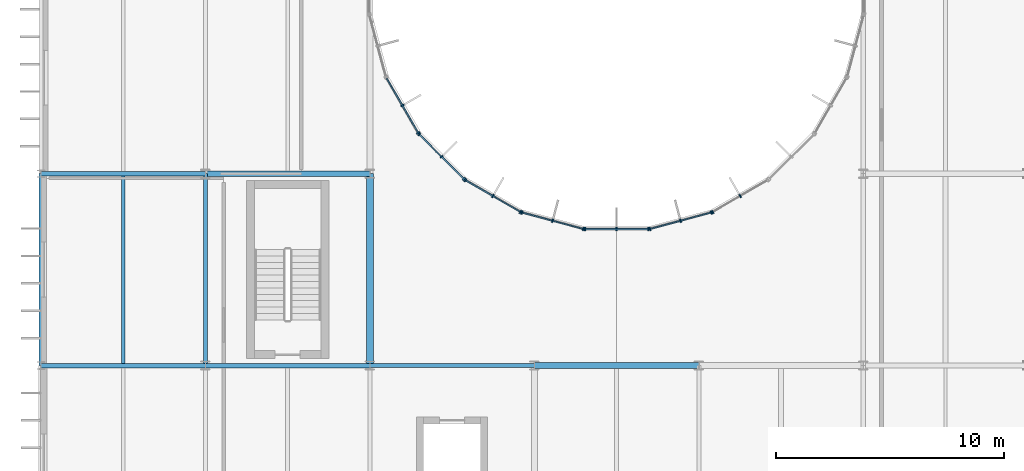
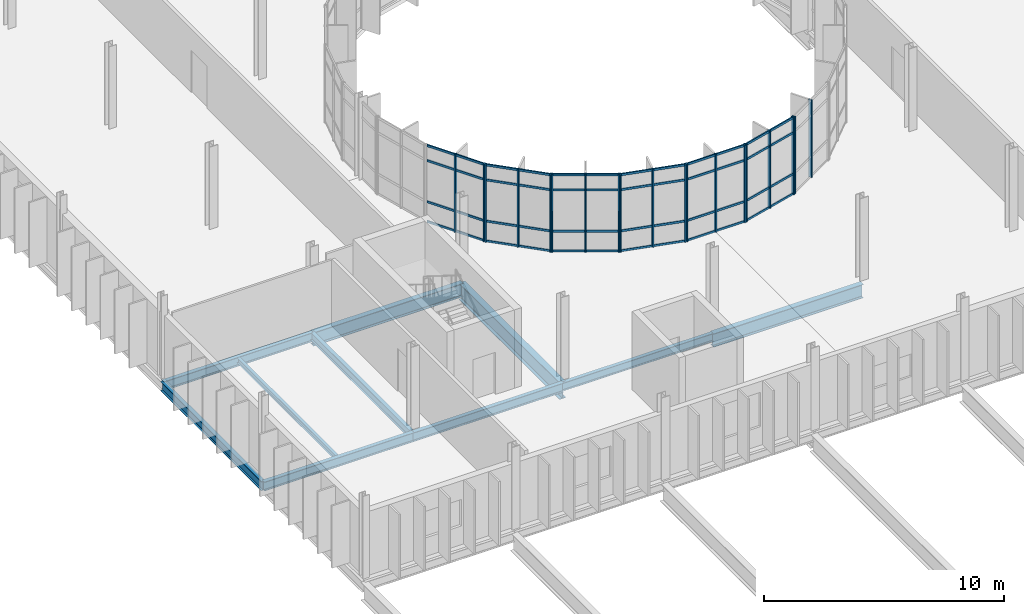
# One storey, part 43 of 119: 43 members, 10 beams, 7 elements without a shape of their own.
"""IFC4 building model written with IfcOpenShell, lengths in metres."""

from ifc_helpers import new_model, si_unit, direction, frame, origin, origin_2d, place, context, subcontext, project, spatial, rectangle, i_section, extrude, material, material_profile, profile_set, type_object, element, aggregate, save


model = new_model("IFC4")

# Units and contexts
model_context = context("Model", 3, precision=1e-05, world=origin(), true_north=direction((0.0, 1.0)))
body_context = subcontext(model_context, "Body", "Model", "MODEL_VIEW")
ifc_project = project(units=[si_unit("LENGTHUNIT", "METRE"), si_unit("AREAUNIT", "SQUARE_METRE"), si_unit("VOLUMEUNIT", "CUBIC_METRE"), si_unit("PLANEANGLEUNIT", "RADIAN"), si_unit("MASSUNIT", "GRAM", prefix="KILO")], contexts=[model_context])

# Site, building, storey
site_placement = place(None, origin())
site = spatial("IfcSite", under=ifc_project, at=site_placement, CompositionType="ELEMENT")
building_placement = place(site_placement, origin())
building = spatial("IfcBuilding", under=site, at=building_placement, Name="Qelthora Terrace Specialist Clinic", CompositionType="ELEMENT")
storey_placement = place(building_placement, frame((0.0, 0.0, 4.800048828125)))
storey = spatial("IfcBuildingStorey", under=building, at=storey_placement, Name="L01", CompositionType="ELEMENT", Elevation=4.800048828125)

# Beams
ifc_material_1 = material(Name="Steel S355", Category="steel")
ifc_material_profile_1 = material_profile(ifc_material_1, i_section(OverallWidth=0.178955078125, OverallDepth=0.409912109375, WebThickness=0.0087890625, FlangeThickness=0.014404296875, FilletRadius=0.011962890625, at=origin_2d()), Name="W410X67")
ifc_profile_set_1 = profile_set([ifc_material_profile_1], Name="Steel S355")
beam_type_1 = type_object("IfcBeamType", Name="BM-W410X67", PredefinedType="BEAM", material=ifc_profile_set_1)
beam_1_placement = place(storey_placement, frame((14.39990234375, 67.199951171875, -0.455078125), z_axis=(1.0, 0.0, 0.0), x_axis=(0.0, 1.0, 0.0)))
element("IfcBeam", 1, at=beam_1_placement, inside=storey, type_object=beam_type_1, Name="Girder BMX-L01-0252", PredefinedType="BEAM", context=body_context, shape_type="SweptSolid", body=[
    extrude(i_section(OverallWidth=0.178955078125, OverallDepth=0.409912109375, WebThickness=0.0087890625, FlangeThickness=0.014404296875, FilletRadius=0.011962890625, at=origin_2d()), origin(), (0.0, 0.0, 1.0), 7.2001953125),
])
ifc_material_profile_2 = material_profile(ifc_material_1, i_section(OverallWidth=0.179931640625, OverallDepth=0.4130859375, WebThickness=0.009765625, FlangeThickness=0.01611328125, FilletRadius=0.011962890625, at=origin_2d()), Name="W410X75")
ifc_profile_set_2 = profile_set([ifc_material_profile_2], Name="Steel S355")
beam_type_2 = type_object("IfcBeamType", Name="BM-W410X75", PredefinedType="BEAM", material=ifc_profile_set_2)
beam_2_placement = place(storey_placement, frame((7.199951171875, 67.199951171875, -0.45654296875), z_axis=(0.0, 1.0, 0.0), x_axis=(-1.0, 0.0, 0.0)))
element("IfcBeam", 2, at=beam_2_placement, inside=storey, type_object=beam_type_2, Name="Girder BMY-L01-0359", PredefinedType="BEAM", context=body_context, shape_type="SweptSolid", body=[
    extrude(i_section(OverallWidth=0.179931640625, OverallDepth=0.4130859375, WebThickness=0.009765625, FlangeThickness=0.01611328125, FilletRadius=0.011962890625, at=origin_2d()), origin(), (0.0, 0.0, 1.0), 8.400146484375),
])
ifc_material_profile_3 = material_profile(ifc_material_1, i_section(OverallWidth=0.19091796875, OverallDepth=0.4599609375, WebThickness=0.010009765625, FlangeThickness=0.01611328125, FilletRadius=0.012939453125, at=origin_2d()), Name="W460X82")
ifc_profile_set_3 = profile_set([ifc_material_profile_3], Name="Steel S355")
beam_type_3 = type_object("IfcBeamType", Name="BM-W460X82", PredefinedType="BEAM", material=ifc_profile_set_3)
beam_3_placement = place(storey_placement, frame((7.199951171875, 67.199951171875, -0.47998046875), z_axis=(1.0, 0.0, 0.0), x_axis=(0.0, 1.0, 0.0)))
element("IfcBeam", 3, at=beam_3_placement, inside=storey, type_object=beam_type_3, Name="Girder BMX-L01-0251", PredefinedType="BEAM", context=body_context, shape_type="SweptSolid", body=[
    extrude(i_section(OverallWidth=0.19091796875, OverallDepth=0.4599609375, WebThickness=0.010009765625, FlangeThickness=0.01611328125, FilletRadius=0.012939453125, at=origin_2d()), origin(), (0.0, 0.0, 1.0), 7.199951171875),
])
ifc_material_profile_4 = material_profile(ifc_material_1, i_section(OverallWidth=0.193115234375, OverallDepth=0.466064453125, WebThickness=0.011474609375, FlangeThickness=0.01904296875, FilletRadius=0.012939453125, at=origin_2d()), Name="W460X97")
ifc_profile_set_4 = profile_set([ifc_material_profile_4], Name="Steel S355")
beam_type_4 = type_object("IfcBeamType", Name="BM-W460X97", PredefinedType="BEAM", material=ifc_profile_set_4)
beam_4_placement = place(storey_placement, frame((0.0, 67.199951171875, -0.483154296875), z_axis=(0.0, 1.0, 0.0), x_axis=(-1.0, 0.0, 0.0)))
element("IfcBeam", 4, at=beam_4_placement, inside=storey, type_object=beam_type_4, Name="Girder BMY-L01-0347", PredefinedType="BEAM", context=body_context, shape_type="SweptSolid", body=[
    extrude(i_section(OverallWidth=0.193115234375, OverallDepth=0.466064453125, WebThickness=0.011474609375, FlangeThickness=0.01904296875, FilletRadius=0.012939453125, at=origin_2d()), origin(), (0.0, 0.0, 1.0), 8.400146484375),
])
ifc_material_profile_5 = material_profile(ifc_material_1, i_section(OverallWidth=0.25390625, OverallDepth=0.68798828125, WebThickness=0.01318359375, FlangeThickness=0.02099609375, FilletRadius=0.01806640625, at=origin_2d()), Name="W690X152")
ifc_profile_set_5 = profile_set([ifc_material_profile_5], Name="Steel S355")
beam_type_5 = type_object("IfcBeamType", Name="BM-W690X152", PredefinedType="BEAM", material=ifc_profile_set_5)
beam_5_placement = place(storey_placement, frame((7.199951171875, 75.60009765625, -0.593994140625), z_axis=(1.0, 0.0, 0.0), x_axis=(0.0, 1.0, 0.0)))
element("IfcBeam", 5, at=beam_5_placement, inside=storey, type_object=beam_type_5, Name="Girder BMX-L01-0268", PredefinedType="BEAM", context=body_context, shape_type="SweptSolid", body=[
    extrude(i_section(OverallWidth=0.25390625, OverallDepth=0.68798828125, WebThickness=0.01318359375, FlangeThickness=0.02099609375, FilletRadius=0.01806640625, at=origin_2d()), origin(), (0.0, 0.0, 1.0), 7.199951171875),
])
ifc_material_profile_6 = material_profile(ifc_material_1, i_section(OverallWidth=0.256103515625, OverallDepth=0.693115234375, WebThickness=0.014404296875, FlangeThickness=0.023681640625, FilletRadius=0.01806640625, at=origin_2d()), Name="W690X170")
ifc_profile_set_6 = profile_set([ifc_material_profile_6], Name="Steel S355")
beam_type_6 = type_object("IfcBeamType", Name="BM-W690X170", PredefinedType="BEAM", material=ifc_profile_set_6)
beam_6_placement = place(storey_placement, frame((21.60009765625, 67.199951171875, -0.596435546875), z_axis=(1.0, 0.0, 0.0), x_axis=(0.0, 1.0, 0.0)))
element("IfcBeam", 6, at=beam_6_placement, inside=storey, type_object=beam_type_6, Name="Girder BMX-L01-0253", PredefinedType="BEAM", context=body_context, shape_type="SweptSolid", body=[
    extrude(i_section(OverallWidth=0.256103515625, OverallDepth=0.693115234375, WebThickness=0.014404296875, FlangeThickness=0.023681640625, FilletRadius=0.01806640625, at=origin_2d()), origin(), (0.0, 0.0, 1.0), 7.199951171875),
])
ifc_material_profile_7 = material_profile(ifc_material_1, i_section(OverallWidth=0.2939453125, OverallDepth=0.85107421875, WebThickness=0.01611328125, FlangeThickness=0.02685546875, FilletRadius=0.02001953125, at=origin_2d()), Name="W840X226")
ifc_profile_set_7 = profile_set([ifc_material_profile_7], Name="Steel S355")
beam_type_7 = type_object("IfcBeamType", Name="BM-W840X226", PredefinedType="BEAM", material=ifc_profile_set_7)
beam_7_placement = place(storey_placement, frame((14.39990234375, 67.199951171875, -0.675537109375), z_axis=(0.0, 1.0, 0.0), x_axis=(-1.0, 0.0, 0.0)))
element("IfcBeam", 7, at=beam_7_placement, inside=storey, type_object=beam_type_7, Name="Girder BMY-L01-0371", PredefinedType="BEAM", context=body_context, shape_type="SweptSolid", body=[
    extrude(i_section(OverallWidth=0.2939453125, OverallDepth=0.85107421875, WebThickness=0.01611328125, FlangeThickness=0.02685546875, FilletRadius=0.02001953125, at=origin_2d()), origin(), (0.0, 0.0, 1.0), 8.400146484375),
])

# Curtain wall, members
ifc_material_2 = material(Name="Aluminium anodized bronze", Category="aluminium")
curtain_wall_type = type_object("IfcCurtainWallType", Name="CW-CRTW-UPP", PredefinedType="NOTDEFINED", material=ifc_material_2)
curtain_wall_1_placement = place(storey_placement, origin())
curtain_wall_1 = element("IfcCurtainWall", 8, at=curtain_wall_1_placement, inside=storey, type_object=curtain_wall_type, Name="Curtain wall CW-CW-L01-14", PredefinedType="NOTDEFINED")
ifc_material_profile_8 = material_profile(ifc_material_2, rectangle(XDim=0.06005859375, YDim=0.14990234375, at=origin_2d()), Name="CWM60X150")
ifc_profile_set_8 = profile_set([ifc_material_profile_8], Name="Aluminium anodized bronze")
member_type_1 = type_object("IfcMemberType", Name="CWM-60X150", PredefinedType="MULLION", material=ifc_profile_set_8)
member_1_placement = place(storey_placement, frame((15.822998046875, 78.586181640625, 0.0), z_axis=(0.0, 0.0, 1.0), x_axis=(0.499999597971, -0.866025635896, 0.0)))
member_1 = element("IfcMember", 9, at=member_1_placement, type_object=member_type_1, Name="CW-CW-L01-14 mullion 2", PredefinedType="MULLION", context=body_context, shape_type="SweptSolid", body=[
    extrude(rectangle(XDim=0.06005859375, YDim=0.14990234375, at=origin_2d()), origin(), (0.0, 0.0, 1.0), 3.945068359375),
])
member_2_placement = place(storey_placement, frame((16.517822265625, 77.3828125, 0.0), z_axis=(0.0, 0.0, 1.0), x_axis=(0.499999597971, -0.866025635896, 0.0)))
member_2 = element("IfcMember", 10, at=member_2_placement, type_object=member_type_1, Name="CW-CW-L01-14 mullion 3", PredefinedType="MULLION", context=body_context, shape_type="SweptSolid", body=[
    extrude(rectangle(XDim=0.06005859375, YDim=0.14990234375, at=origin_2d()), origin(), (0.0, 0.0, 1.0), 3.945068359375),
])

curtain_wall_2_placement = place(storey_placement, origin())
curtain_wall_2 = element("IfcCurtainWall", 11, at=curtain_wall_2_placement, inside=storey, type_object=curtain_wall_type, Name="Curtain wall CW-CW-L01-15", PredefinedType="NOTDEFINED")
member_3_placement = place(storey_placement, frame((16.56103515625, 77.326416015625, 0.0), z_axis=(0.0, 0.0, 1.0), x_axis=(0.707106781187, -0.707106781187, 0.0)))
member_3 = element("IfcMember", 12, at=member_3_placement, type_object=member_type_1, Name="CW-CW-L01-15 mullion 1", PredefinedType="MULLION", context=body_context, shape_type="SweptSolid", body=[
    extrude(rectangle(XDim=0.06005859375, YDim=0.14990234375, at=origin_2d()), origin(), (0.0, 0.0, 1.0), 3.945068359375),
])
member_4_placement = place(storey_placement, frame((17.543701171875, 76.34375, 0.0), z_axis=(0.0, 0.0, 1.0), x_axis=(0.707106781187, -0.707106781187, 0.0)))
member_4 = element("IfcMember", 13, at=member_4_placement, type_object=member_type_1, Name="CW-CW-L01-15 mullion 2", PredefinedType="MULLION", context=body_context, shape_type="SweptSolid", body=[
    extrude(rectangle(XDim=0.06005859375, YDim=0.14990234375, at=origin_2d()), origin(), (0.0, 0.0, 1.0), 3.945068359375),
])
member_5_placement = place(storey_placement, frame((18.5263671875, 75.361083984375, 0.0), z_axis=(0.0, 0.0, 1.0), x_axis=(0.707106781187, -0.707106781187, 0.0)))
member_5 = element("IfcMember", 14, at=member_5_placement, type_object=member_type_1, Name="CW-CW-L01-15 mullion 3", PredefinedType="MULLION", context=body_context, shape_type="SweptSolid", body=[
    extrude(rectangle(XDim=0.06005859375, YDim=0.14990234375, at=origin_2d()), origin(), (0.0, 0.0, 1.0), 3.945068359375),
])

curtain_wall_3_placement = place(storey_placement, origin())
curtain_wall_3 = element("IfcCurtainWall", 15, at=curtain_wall_3_placement, inside=storey, type_object=curtain_wall_type, Name="Curtain wall CW-CW-L01-16", PredefinedType="NOTDEFINED")
member_6_placement = place(storey_placement, frame((18.582763671875, 75.31787109375, 0.0), z_axis=(0.0, 0.0, 1.0), x_axis=(0.866025635896, -0.499999597971, 0.0)))
member_6 = element("IfcMember", 16, at=member_6_placement, type_object=member_type_1, Name="CW-CW-L01-16 mullion 1", PredefinedType="MULLION", context=body_context, shape_type="SweptSolid", body=[
    extrude(rectangle(XDim=0.06005859375, YDim=0.14990234375, at=origin_2d()), origin(), (0.0, 0.0, 1.0), 3.945068359375),
])
member_7_placement = place(storey_placement, frame((19.7861328125, 74.623046875, 0.0), z_axis=(0.0, 0.0, 1.0), x_axis=(0.866025635896, -0.499999597971, 0.0)))
member_7 = element("IfcMember", 17, at=member_7_placement, type_object=member_type_1, Name="CW-CW-L01-16 mullion 2", PredefinedType="MULLION", context=body_context, shape_type="SweptSolid", body=[
    extrude(rectangle(XDim=0.06005859375, YDim=0.14990234375, at=origin_2d()), origin(), (0.0, 0.0, 1.0), 3.945068359375),
])
member_8_placement = place(storey_placement, frame((20.98974609375, 73.92822265625, 0.0), z_axis=(0.0, 0.0, 1.0), x_axis=(0.866025635896, -0.499999597971, 0.0)))
member_8 = element("IfcMember", 18, at=member_8_placement, type_object=member_type_1, Name="CW-CW-L01-16 mullion 3", PredefinedType="MULLION", context=body_context, shape_type="SweptSolid", body=[
    extrude(rectangle(XDim=0.06005859375, YDim=0.14990234375, at=origin_2d()), origin(), (0.0, 0.0, 1.0), 3.945068359375),
])

curtain_wall_4_placement = place(storey_placement, origin())
curtain_wall_4 = element("IfcCurtainWall", 19, at=curtain_wall_4_placement, inside=storey, type_object=curtain_wall_type, Name="Curtain wall CW-CW-L01-17", PredefinedType="NOTDEFINED")
member_9_placement = place(storey_placement, frame((21.05517578125, 73.901123046875, 0.0), z_axis=(0.0, 0.0, 1.0), x_axis=(0.96592547477, -0.258820356987, 0.0)))
member_9 = element("IfcMember", 20, at=member_9_placement, type_object=member_type_1, Name="CW-CW-L01-17 mullion 1", PredefinedType="MULLION", context=body_context, shape_type="SweptSolid", body=[
    extrude(rectangle(XDim=0.06005859375, YDim=0.14990234375, at=origin_2d()), origin(), (0.0, 0.0, 1.0), 3.945068359375),
])
member_10_placement = place(storey_placement, frame((22.397705078125, 73.541259765625, 0.0), z_axis=(0.0, 0.0, 1.0), x_axis=(0.96592547477, -0.258820356987, 0.0)))
member_10 = element("IfcMember", 21, at=member_10_placement, type_object=member_type_1, Name="CW-CW-L01-17 mullion 2", PredefinedType="MULLION", context=body_context, shape_type="SweptSolid", body=[
    extrude(rectangle(XDim=0.06005859375, YDim=0.14990234375, at=origin_2d()), origin(), (0.0, 0.0, 1.0), 3.945068359375),
])
member_11_placement = place(storey_placement, frame((23.739990234375, 73.181640625, 0.0), z_axis=(0.0, 0.0, 1.0), x_axis=(0.96592547477, -0.258820356987, 0.0)))
member_11 = element("IfcMember", 22, at=member_11_placement, type_object=member_type_1, Name="CW-CW-L01-17 mullion 3", PredefinedType="MULLION", context=body_context, shape_type="SweptSolid", body=[
    extrude(rectangle(XDim=0.06005859375, YDim=0.14990234375, at=origin_2d()), origin(), (0.0, 0.0, 1.0), 3.945068359375),
])

curtain_wall_5_placement = place(storey_placement, origin())
curtain_wall_5 = element("IfcCurtainWall", 23, at=curtain_wall_5_placement, inside=storey, type_object=curtain_wall_type, Name="Curtain wall CW-CW-L01-18", PredefinedType="NOTDEFINED")
member_12_placement = place(storey_placement, frame((23.810302734375, 73.17236328125, 0.0), z_axis=(0.0, 0.0, 1.0), x_axis=(1.0, 0.0, 0.0)))
member_12 = element("IfcMember", 24, at=member_12_placement, type_object=member_type_1, Name="CW-CW-L01-18 mullion 1", PredefinedType="MULLION", context=body_context, shape_type="SweptSolid", body=[
    extrude(rectangle(XDim=0.06005859375, YDim=0.14990234375, at=origin_2d()), origin(), (0.0, 0.0, 1.0), 3.945068359375),
])
member_13_placement = place(storey_placement, frame((25.199951171875, 73.17236328125, 0.0), z_axis=(0.0, 0.0, 1.0), x_axis=(1.0, 0.0, 0.0)))
member_13 = element("IfcMember", 25, at=member_13_placement, type_object=member_type_1, Name="CW-CW-L01-18 mullion 2", PredefinedType="MULLION", context=body_context, shape_type="SweptSolid", body=[
    extrude(rectangle(XDim=0.06005859375, YDim=0.14990234375, at=origin_2d()), origin(), (0.0, 0.0, 1.0), 3.945068359375),
])
member_14_placement = place(storey_placement, frame((26.589599609375, 73.17236328125, 0.0), z_axis=(0.0, 0.0, 1.0), x_axis=(1.0, 0.0, 0.0)))
member_14 = element("IfcMember", 26, at=member_14_placement, type_object=member_type_1, Name="CW-CW-L01-18 mullion 3", PredefinedType="MULLION", context=body_context, shape_type="SweptSolid", body=[
    extrude(rectangle(XDim=0.06005859375, YDim=0.14990234375, at=origin_2d()), origin(), (0.0, 0.0, 1.0), 3.945068359375),
])

curtain_wall_6_placement = place(storey_placement, origin())
curtain_wall_6 = element("IfcCurtainWall", 27, at=curtain_wall_6_placement, inside=storey, type_object=curtain_wall_type, Name="Curtain wall CW-CW-L01-19", PredefinedType="NOTDEFINED")
member_15_placement = place(storey_placement, frame((26.66015625, 73.181640625, 0.0), z_axis=(0.0, 0.0, 1.0), x_axis=(0.96592547477, 0.258820356987, 0.0)))
member_15 = element("IfcMember", 28, at=member_15_placement, type_object=member_type_1, Name="CW-CW-L01-19 mullion 1", PredefinedType="MULLION", context=body_context, shape_type="SweptSolid", body=[
    extrude(rectangle(XDim=0.06005859375, YDim=0.14990234375, at=origin_2d()), origin(), (0.0, 0.0, 1.0), 3.945068359375),
])
member_16_placement = place(storey_placement, frame((28.00244140625, 73.541259765625, 0.0), z_axis=(0.0, 0.0, 1.0), x_axis=(0.96592547477, 0.258820356987, 0.0)))
member_16 = element("IfcMember", 29, at=member_16_placement, type_object=member_type_1, Name="CW-CW-L01-19 mullion 2", PredefinedType="MULLION", context=body_context, shape_type="SweptSolid", body=[
    extrude(rectangle(XDim=0.06005859375, YDim=0.14990234375, at=origin_2d()), origin(), (0.0, 0.0, 1.0), 3.945068359375),
])
member_17_placement = place(storey_placement, frame((29.3447265625, 73.901123046875, 0.0), z_axis=(0.0, 0.0, 1.0), x_axis=(0.96592547477, 0.258820356987, 0.0)))
member_17 = element("IfcMember", 30, at=member_17_placement, type_object=member_type_1, Name="CW-CW-L01-19 mullion 3", PredefinedType="MULLION", context=body_context, shape_type="SweptSolid", body=[
    extrude(rectangle(XDim=0.06005859375, YDim=0.14990234375, at=origin_2d()), origin(), (0.0, 0.0, 1.0), 3.945068359375),
])

curtain_wall_7_placement = place(storey_placement, origin())
curtain_wall_7 = element("IfcCurtainWall", 31, at=curtain_wall_7_placement, inside=storey, type_object=curtain_wall_type, Name="Curtain wall CW-CW-L01-20", PredefinedType="NOTDEFINED")
member_18_placement = place(storey_placement, frame((29.410400390625, 73.92822265625, 0.0), z_axis=(0.0, 0.0, 1.0), x_axis=(0.866025635896, 0.499999597971, 0.0)))
member_18 = element("IfcMember", 32, at=member_18_placement, type_object=member_type_1, Name="CW-CW-L01-20 mullion 1", PredefinedType="MULLION", context=body_context, shape_type="SweptSolid", body=[
    extrude(rectangle(XDim=0.06005859375, YDim=0.14990234375, at=origin_2d()), origin(), (0.0, 0.0, 1.0), 3.945068359375),
])
member_19_placement = place(storey_placement, frame((30.61376953125, 74.623046875, 0.0), z_axis=(0.0, 0.0, 1.0), x_axis=(0.866025635896, 0.499999597971, 0.0)))
member_19 = element("IfcMember", 33, at=member_19_placement, type_object=member_type_1, Name="CW-CW-L01-20 mullion 2", PredefinedType="MULLION", context=body_context, shape_type="SweptSolid", body=[
    extrude(rectangle(XDim=0.06005859375, YDim=0.14990234375, at=origin_2d()), origin(), (0.0, 0.0, 1.0), 3.945068359375),
])
aggregate(curtain_wall_7, [member_18, member_19])

# Member
ifc_material_profile_9 = material_profile(ifc_material_2, rectangle(XDim=0.06005859375, YDim=0.110107421875, at=origin_2d()), Name="CWT60X110")
ifc_profile_set_9 = profile_set([ifc_material_profile_9], Name="Aluminium anodized bronze")
member_type_2 = type_object("IfcMemberType", Name="CWT-60X110", PredefinedType="USERDEFINED", material=ifc_profile_set_9)
member_20_placement = place(storey_placement, frame((15.13818359375, 79.7724609375, 0.0400390625), z_axis=(0.499953886166, -0.866052025982, 0.0), x_axis=(0.866052025982, 0.499953886166, 0.0)))
member_20 = element("IfcMember", 34, at=member_20_placement, type_object=member_type_2, Name="CW-CW-L01-14 transom 1", ObjectType="TRANSOM", PredefinedType="USERDEFINED", context=body_context, shape_type="SweptSolid", body=[
    extrude(rectangle(XDim=0.06005859375, YDim=0.110107421875, at=origin_2d()), origin(), (0.0, 0.0, 1.0), 2.739501953125),
])

member_21_placement = place(storey_placement, frame((15.13818359375, 79.7724609375, 1.050048828125), z_axis=(0.499953886166, -0.866052025982, 0.0), x_axis=(0.866052025982, 0.499953886166, 0.0)))
member_21 = element("IfcMember", 35, at=member_21_placement, type_object=member_type_2, Name="CW-CW-L01-14 transom 2", ObjectType="TRANSOM", PredefinedType="USERDEFINED", context=body_context, shape_type="SweptSolid", body=[
    extrude(rectangle(XDim=0.06005859375, YDim=0.110107421875, at=origin_2d()), origin(), (0.0, 0.0, 1.0), 2.739501953125),
])

member_22_placement = place(storey_placement, frame((15.13818359375, 79.7724609375, 3.14501953125), z_axis=(0.499953886166, -0.866052025982, 0.0), x_axis=(0.866052025982, 0.499953886166, 0.0)))
member_22 = element("IfcMember", 36, at=member_22_placement, type_object=member_type_2, Name="CW-CW-L01-14 transom 3", ObjectType="TRANSOM", PredefinedType="USERDEFINED", context=body_context, shape_type="SweptSolid", body=[
    extrude(rectangle(XDim=0.06005859375, YDim=0.110107421875, at=origin_2d()), origin(), (0.0, 0.0, 1.0), 2.739501953125),
])

member_23_placement = place(storey_placement, frame((15.13818359375, 79.7724609375, 3.905029296875), z_axis=(0.499953886166, -0.866052025982, 0.0), x_axis=(0.866052025982, 0.499953886166, 0.0)))
member_23 = element("IfcMember", 37, at=member_23_placement, type_object=member_type_2, Name="CW-CW-L01-14 transom 4", ObjectType="TRANSOM", PredefinedType="USERDEFINED", context=body_context, shape_type="SweptSolid", body=[
    extrude(rectangle(XDim=0.06005859375, YDim=0.110107421875, at=origin_2d()), origin(), (0.0, 0.0, 1.0), 2.739501953125),
])

aggregate(curtain_wall_1, [member_1, member_2, member_20, member_21, member_22, member_23])

member_24_placement = place(storey_placement, frame((16.5751953125, 77.312255859375, 0.0400390625), z_axis=(0.707106781187, -0.707106781187, 0.0), x_axis=(0.707106781187, 0.707106781187, 0.0)))
member_24 = element("IfcMember", 38, at=member_24_placement, type_object=member_type_2, Name="CW-CW-L01-15 transom 1", ObjectType="TRANSOM", PredefinedType="USERDEFINED", context=body_context, shape_type="SweptSolid", body=[
    extrude(rectangle(XDim=0.06005859375, YDim=0.110107421875, at=origin_2d()), origin(), (0.0, 0.0, 1.0), 2.7392578125),
])

member_25_placement = place(storey_placement, frame((16.5751953125, 77.312255859375, 1.050048828125), z_axis=(0.707106781187, -0.707106781187, 0.0), x_axis=(0.707106781187, 0.707106781187, 0.0)))
member_25 = element("IfcMember", 39, at=member_25_placement, type_object=member_type_2, Name="CW-CW-L01-15 transom 2", ObjectType="TRANSOM", PredefinedType="USERDEFINED", context=body_context, shape_type="SweptSolid", body=[
    extrude(rectangle(XDim=0.06005859375, YDim=0.110107421875, at=origin_2d()), origin(), (0.0, 0.0, 1.0), 2.7392578125),
])

member_26_placement = place(storey_placement, frame((16.5751953125, 77.312255859375, 3.14501953125), z_axis=(0.707106781187, -0.707106781187, 0.0), x_axis=(0.707106781187, 0.707106781187, 0.0)))
member_26 = element("IfcMember", 40, at=member_26_placement, type_object=member_type_2, Name="CW-CW-L01-15 transom 3", ObjectType="TRANSOM", PredefinedType="USERDEFINED", context=body_context, shape_type="SweptSolid", body=[
    extrude(rectangle(XDim=0.06005859375, YDim=0.110107421875, at=origin_2d()), origin(), (0.0, 0.0, 1.0), 2.7392578125),
])

member_27_placement = place(storey_placement, frame((16.5751953125, 77.312255859375, 3.905029296875), z_axis=(0.707106781187, -0.707106781187, 0.0), x_axis=(0.707106781187, 0.707106781187, 0.0)))
member_27 = element("IfcMember", 41, at=member_27_placement, type_object=member_type_2, Name="CW-CW-L01-15 transom 4", ObjectType="TRANSOM", PredefinedType="USERDEFINED", context=body_context, shape_type="SweptSolid", body=[
    extrude(rectangle(XDim=0.06005859375, YDim=0.110107421875, at=origin_2d()), origin(), (0.0, 0.0, 1.0), 2.7392578125),
])

aggregate(curtain_wall_2, [member_3, member_4, member_5, member_24, member_25, member_26, member_27])

member_28_placement = place(storey_placement, frame((18.60009765625, 75.307861328125, 0.0400390625), z_axis=(0.866029747927, -0.499992475648, 0.0), x_axis=(0.499992475648, 0.866029747927, 0.0)))
member_28 = element("IfcMember", 42, at=member_28_placement, type_object=member_type_2, Name="CW-CW-L01-16 transom 1", ObjectType="TRANSOM", PredefinedType="USERDEFINED", context=body_context, shape_type="SweptSolid", body=[
    extrude(rectangle(XDim=0.06005859375, YDim=0.110107421875, at=origin_2d()), origin(), (0.0, 0.0, 1.0), 2.7392578125),
])

member_29_placement = place(storey_placement, frame((18.60009765625, 75.307861328125, 1.050048828125), z_axis=(0.866029747927, -0.499992475648, 0.0), x_axis=(0.499992475648, 0.866029747927, 0.0)))
member_29 = element("IfcMember", 43, at=member_29_placement, type_object=member_type_2, Name="CW-CW-L01-16 transom 2", ObjectType="TRANSOM", PredefinedType="USERDEFINED", context=body_context, shape_type="SweptSolid", body=[
    extrude(rectangle(XDim=0.06005859375, YDim=0.110107421875, at=origin_2d()), origin(), (0.0, 0.0, 1.0), 2.7392578125),
])

member_30_placement = place(storey_placement, frame((18.60009765625, 75.307861328125, 3.14501953125), z_axis=(0.866029747927, -0.499992475648, 0.0), x_axis=(0.499992475648, 0.866029747927, 0.0)))
member_30 = element("IfcMember", 44, at=member_30_placement, type_object=member_type_2, Name="CW-CW-L01-16 transom 3", ObjectType="TRANSOM", PredefinedType="USERDEFINED", context=body_context, shape_type="SweptSolid", body=[
    extrude(rectangle(XDim=0.06005859375, YDim=0.110107421875, at=origin_2d()), origin(), (0.0, 0.0, 1.0), 2.7392578125),
])

member_31_placement = place(storey_placement, frame((18.60009765625, 75.307861328125, 3.905029296875), z_axis=(0.866029747927, -0.499992475648, 0.0), x_axis=(0.499992475648, 0.866029747927, 0.0)))
member_31 = element("IfcMember", 45, at=member_31_placement, type_object=member_type_2, Name="CW-CW-L01-16 transom 4", ObjectType="TRANSOM", PredefinedType="USERDEFINED", context=body_context, shape_type="SweptSolid", body=[
    extrude(rectangle(XDim=0.06005859375, YDim=0.110107421875, at=origin_2d()), origin(), (0.0, 0.0, 1.0), 2.7392578125),
])

aggregate(curtain_wall_3, [member_6, member_7, member_8, member_28, member_29, member_30, member_31])

member_32_placement = place(storey_placement, frame((21.07470703125, 73.895751953125, 0.0400390625), z_axis=(0.965926569303, -0.258816272122, 0.0), x_axis=(0.258816272122, 0.965926569303, 0.0)))
member_32 = element("IfcMember", 46, at=member_32_placement, type_object=member_type_2, Name="CW-CW-L01-17 transom 1", ObjectType="TRANSOM", PredefinedType="USERDEFINED", context=body_context, shape_type="SweptSolid", body=[
    extrude(rectangle(XDim=0.06005859375, YDim=0.110107421875, at=origin_2d()), origin(), (0.0, 0.0, 1.0), 2.7392578125),
])

member_33_placement = place(storey_placement, frame((21.07470703125, 73.895751953125, 1.050048828125), z_axis=(0.965926569303, -0.258816272122, 0.0), x_axis=(0.258816272122, 0.965926569303, 0.0)))
member_33 = element("IfcMember", 47, at=member_33_placement, type_object=member_type_2, Name="CW-CW-L01-17 transom 2", ObjectType="TRANSOM", PredefinedType="USERDEFINED", context=body_context, shape_type="SweptSolid", body=[
    extrude(rectangle(XDim=0.06005859375, YDim=0.110107421875, at=origin_2d()), origin(), (0.0, 0.0, 1.0), 2.7392578125),
])

member_34_placement = place(storey_placement, frame((21.07470703125, 73.895751953125, 3.14501953125), z_axis=(0.965926569303, -0.258816272122, 0.0), x_axis=(0.258816272122, 0.965926569303, 0.0)))
member_34 = element("IfcMember", 48, at=member_34_placement, type_object=member_type_2, Name="CW-CW-L01-17 transom 3", ObjectType="TRANSOM", PredefinedType="USERDEFINED", context=body_context, shape_type="SweptSolid", body=[
    extrude(rectangle(XDim=0.06005859375, YDim=0.110107421875, at=origin_2d()), origin(), (0.0, 0.0, 1.0), 2.7392578125),
])

member_35_placement = place(storey_placement, frame((21.07470703125, 73.895751953125, 3.905029296875), z_axis=(0.965926569303, -0.258816272122, 0.0), x_axis=(0.258816272122, 0.965926569303, 0.0)))
member_35 = element("IfcMember", 49, at=member_35_placement, type_object=member_type_2, Name="CW-CW-L01-17 transom 4", ObjectType="TRANSOM", PredefinedType="USERDEFINED", context=body_context, shape_type="SweptSolid", body=[
    extrude(rectangle(XDim=0.06005859375, YDim=0.110107421875, at=origin_2d()), origin(), (0.0, 0.0, 1.0), 2.7392578125),
])

aggregate(curtain_wall_4, [member_9, member_10, member_11, member_32, member_33, member_34, member_35])

member_36_placement = place(storey_placement, frame((23.830322265625, 73.17236328125, 0.0400390625), z_axis=(1.0, 0.0, 0.0), x_axis=(0.0, 1.0, 0.0)))
member_36 = element("IfcMember", 50, at=member_36_placement, type_object=member_type_2, Name="CW-CW-L01-18 transom 1", ObjectType="TRANSOM", PredefinedType="USERDEFINED", context=body_context, shape_type="SweptSolid", body=[
    extrude(rectangle(XDim=0.06005859375, YDim=0.110107421875, at=origin_2d()), origin(), (0.0, 0.0, 1.0), 2.7392578125),
])

member_37_placement = place(storey_placement, frame((23.830322265625, 73.17236328125, 1.050048828125), z_axis=(1.0, 0.0, 0.0), x_axis=(0.0, 1.0, 0.0)))
member_37 = element("IfcMember", 51, at=member_37_placement, type_object=member_type_2, Name="CW-CW-L01-18 transom 2", ObjectType="TRANSOM", PredefinedType="USERDEFINED", context=body_context, shape_type="SweptSolid", body=[
    extrude(rectangle(XDim=0.06005859375, YDim=0.110107421875, at=origin_2d()), origin(), (0.0, 0.0, 1.0), 2.7392578125),
])

member_38_placement = place(storey_placement, frame((23.830322265625, 73.17236328125, 3.14501953125), z_axis=(1.0, 0.0, 0.0), x_axis=(0.0, 1.0, 0.0)))
member_38 = element("IfcMember", 52, at=member_38_placement, type_object=member_type_2, Name="CW-CW-L01-18 transom 3", ObjectType="TRANSOM", PredefinedType="USERDEFINED", context=body_context, shape_type="SweptSolid", body=[
    extrude(rectangle(XDim=0.06005859375, YDim=0.110107421875, at=origin_2d()), origin(), (0.0, 0.0, 1.0), 2.7392578125),
])

member_39_placement = place(storey_placement, frame((23.830322265625, 73.17236328125, 3.905029296875), z_axis=(1.0, 0.0, 0.0), x_axis=(0.0, 1.0, 0.0)))
member_39 = element("IfcMember", 53, at=member_39_placement, type_object=member_type_2, Name="CW-CW-L01-18 transom 4", ObjectType="TRANSOM", PredefinedType="USERDEFINED", context=body_context, shape_type="SweptSolid", body=[
    extrude(rectangle(XDim=0.06005859375, YDim=0.110107421875, at=origin_2d()), origin(), (0.0, 0.0, 1.0), 2.7392578125),
])

aggregate(curtain_wall_5, [member_12, member_13, member_14, member_36, member_37, member_38, member_39])

member_40_placement = place(storey_placement, frame((26.679443359375, 73.186767578125, 0.0400390625), z_axis=(0.965926569303, 0.258816272122, 0.0), x_axis=(-0.258816272122, 0.965926569303, 0.0)))
member_40 = element("IfcMember", 54, at=member_40_placement, type_object=member_type_2, Name="CW-CW-L01-19 transom 1", ObjectType="TRANSOM", PredefinedType="USERDEFINED", context=body_context, shape_type="SweptSolid", body=[
    extrude(rectangle(XDim=0.06005859375, YDim=0.110107421875, at=origin_2d()), origin(), (0.0, 0.0, 1.0), 2.7392578125),
])

member_41_placement = place(storey_placement, frame((26.679443359375, 73.186767578125, 1.050048828125), z_axis=(0.965926569303, 0.258816272122, 0.0), x_axis=(-0.258816272122, 0.965926569303, 0.0)))
member_41 = element("IfcMember", 55, at=member_41_placement, type_object=member_type_2, Name="CW-CW-L01-19 transom 2", ObjectType="TRANSOM", PredefinedType="USERDEFINED", context=body_context, shape_type="SweptSolid", body=[
    extrude(rectangle(XDim=0.06005859375, YDim=0.110107421875, at=origin_2d()), origin(), (0.0, 0.0, 1.0), 2.7392578125),
])

member_42_placement = place(storey_placement, frame((26.679443359375, 73.186767578125, 3.14501953125), z_axis=(0.965926569303, 0.258816272122, 0.0), x_axis=(-0.258816272122, 0.965926569303, 0.0)))
member_42 = element("IfcMember", 56, at=member_42_placement, type_object=member_type_2, Name="CW-CW-L01-19 transom 3", ObjectType="TRANSOM", PredefinedType="USERDEFINED", context=body_context, shape_type="SweptSolid", body=[
    extrude(rectangle(XDim=0.06005859375, YDim=0.110107421875, at=origin_2d()), origin(), (0.0, 0.0, 1.0), 2.7392578125),
])

member_43_placement = place(storey_placement, frame((26.679443359375, 73.186767578125, 3.905029296875), z_axis=(0.965926569303, 0.258816272122, 0.0), x_axis=(-0.258816272122, 0.965926569303, 0.0)))
member_43 = element("IfcMember", 57, at=member_43_placement, type_object=member_type_2, Name="CW-CW-L01-19 transom 4", ObjectType="TRANSOM", PredefinedType="USERDEFINED", context=body_context, shape_type="SweptSolid", body=[
    extrude(rectangle(XDim=0.06005859375, YDim=0.110107421875, at=origin_2d()), origin(), (0.0, 0.0, 1.0), 2.7392578125),
])

aggregate(curtain_wall_6, [member_15, member_16, member_17, member_40, member_41, member_42, member_43])

# Beams
ifc_material_profile_10 = material_profile(ifc_material_1, i_section(OverallWidth=0.14697265625, OverallDepth=0.261962890625, WebThickness=0.006591796875, FlangeThickness=0.01123046875, FilletRadius=0.009033203125, at=origin_2d()), Name="W250X39")
ifc_profile_set_10 = profile_set([ifc_material_profile_10], Name="Steel S355")
beam_type_8 = type_object("IfcBeamType", Name="JST-W250X39", PredefinedType="JOIST", material=ifc_profile_set_10)
beam_8_placement = place(storey_placement, frame((3.60009765625, 67.29541015625, -0.381103515625), z_axis=(0.0, 1.0, 0.0), x_axis=(-1.0, 0.0, 0.0)))
element("IfcBeam", 58, at=beam_8_placement, inside=storey, type_object=beam_type_8, Name="Composite floor joist JST-L01-0047", PredefinedType="JOIST", context=body_context, shape_type="SweptSolid", body=[
    extrude(i_section(OverallWidth=0.14697265625, OverallDepth=0.261962890625, WebThickness=0.006591796875, FlangeThickness=0.01123046875, FilletRadius=0.009033203125, at=origin_2d()), origin(), (0.0, 0.0, 1.0), 8.208984375),
])
ifc_material_profile_11 = material_profile(ifc_material_1, i_section(OverallWidth=0.19091796875, OverallDepth=0.4599609375, WebThickness=0.010009765625, FlangeThickness=0.01611328125, FilletRadius=0.012939453125, at=origin_2d()), Name="W460X82")
ifc_profile_set_11 = profile_set([ifc_material_profile_11], Name="Steel S355")
beam_type_9 = type_object("IfcBeamType", Name="SPD-W460X82", PredefinedType="SPANDREL", material=ifc_profile_set_11)
for number, where, z_axis, x_axis, name in (
    (59, (0.0, 67.199951171875, -0.47998046875), (1.0, 0.0, 0.0), (0.0, 1.0, 0.0), "Girder BMX-L01-0250"),
    (60, (0.0, 75.60009765625, -0.47998046875), (1.0, 0.0, 0.0), (0.0, 1.0, 0.0), "Girder BMX-L01-0267"),
):
    element("IfcBeam", number, at=place(storey_placement, frame(where, z_axis=z_axis, x_axis=x_axis)), inside=storey, type_object=beam_type_9, Name=name, PredefinedType="SPANDREL", context=body_context, shape_type="SweptSolid", body=[
        extrude(i_section(OverallWidth=0.19091796875, OverallDepth=0.4599609375, WebThickness=0.010009765625, FlangeThickness=0.01611328125, FilletRadius=0.012939453125, at=origin_2d()), origin(), (0.0, 0.0, 1.0), 7.199951171875),
    ])

save(model, "model.ifc")
